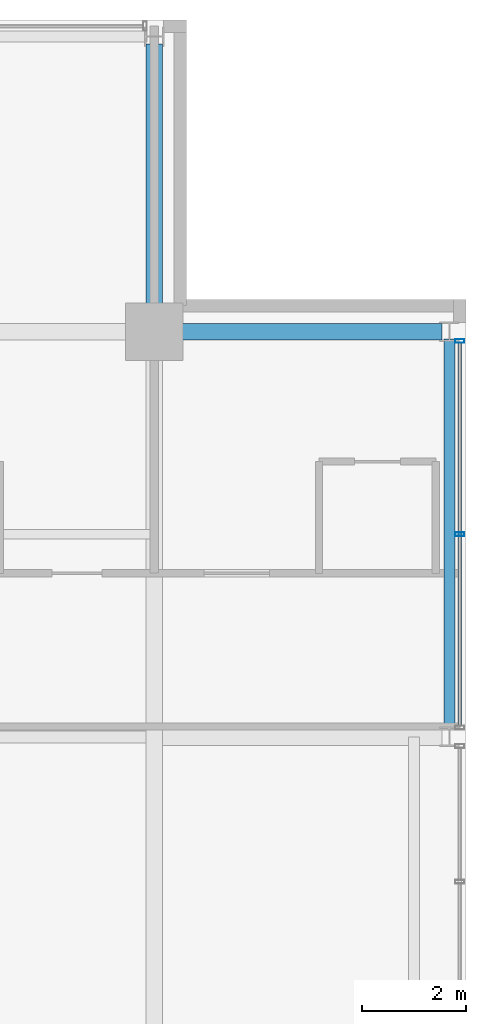
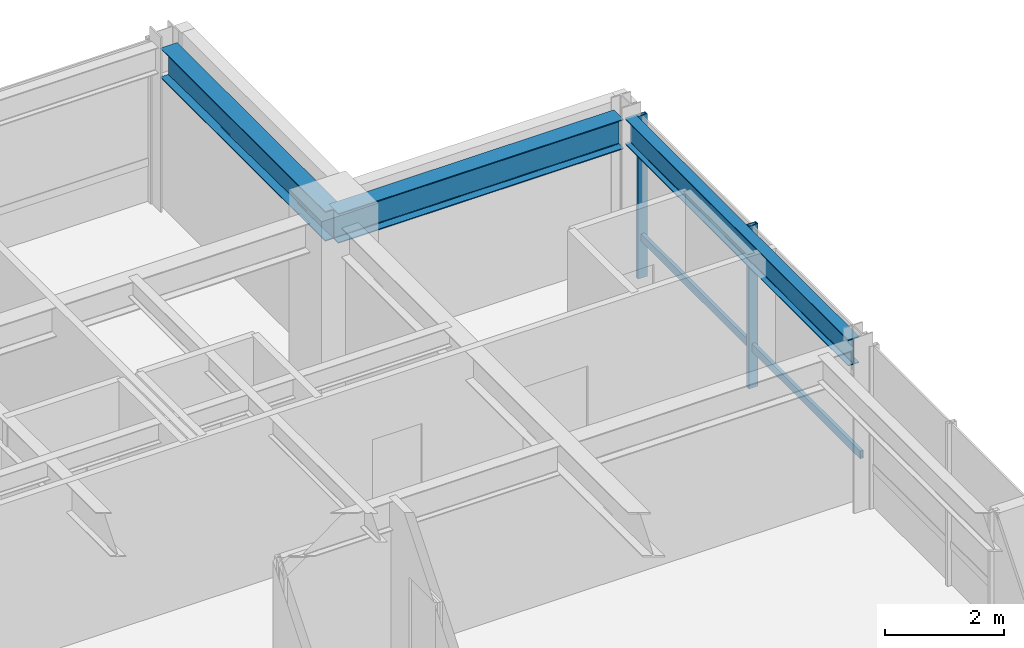
# One storey, part 23 of 32: 3 beams, 3 members, 1 element without a shape of its own.
"""IFC4 building model written with IfcOpenShell, lengths in metres."""

from ifc_helpers import new_model, si_unit, direction, frame, origin, origin_2d, place, context, subcontext, project, spatial, hollow_rectangle, i_section, extrude, material, layer, layer_set, material_profile, profile_set, type_object, element, aggregate, save


model = new_model("IFC4")

# Units and contexts
model_context = context("Model", 3, precision=1e-05, world=origin(), true_north=direction((0.0, 1.0)))
body_context = subcontext(model_context, "Body", "Model", "MODEL_VIEW")
ifc_project = project(units=[si_unit("LENGTHUNIT", "METRE"), si_unit("AREAUNIT", "SQUARE_METRE"), si_unit("VOLUMEUNIT", "CUBIC_METRE"), si_unit("PLANEANGLEUNIT", "RADIAN"), si_unit("MASSUNIT", "GRAM", prefix="KILO")], contexts=[model_context])

# Site, building, storey
site_placement = place(None, origin())
site = spatial("IfcSite", under=ifc_project, at=site_placement, CompositionType="ELEMENT")
building_placement = place(site_placement, origin())
building = spatial("IfcBuilding", under=site, at=building_placement, Name="Drelvath Grand Hotel", CompositionType="ELEMENT")
storey_placement = place(building_placement, frame((0.0, 0.0, 237.5)))
storey = spatial("IfcBuildingStorey", under=building, at=storey_placement, Name="L62", CompositionType="ELEMENT", Elevation=237.5)

# Curtain wall, members
ifc_material_1 = material(Name="Platinum-Mist Anodised Aluminium Frame", Category="aluminium")
ifc_layer = layer(ifc_material_1, 0.199951171875)
ifc_layer_set = layer_set([ifc_layer], Name="Platinum-Mist Anodised Aluminium Frame")
curtain_wall_type = type_object("IfcCurtainWallType", Name="Stick Curtain Wall CW-05 Platinum Mist High-Rise", PredefinedType="NOTDEFINED", material=ifc_layer_set)
curtain_wall_placement = place(storey_placement, origin())
curtain_wall = element("IfcCurtainWall", 1, at=curtain_wall_placement, inside=storey, type_object=curtain_wall_type, Name="L62 CW-05 Curtain Wall CW05-L62-EN2", PredefinedType="NOTDEFINED")
ifc_material_profile_1 = material_profile(ifc_material_1, hollow_rectangle(XDim=0.06494140625, YDim=0.159912109375, WallThickness=0.00390625, at=origin_2d()), Name="HSS160X65X4")
ifc_profile_set_1 = profile_set([ifc_material_profile_1], Name="Platinum-Mist Anodised Aluminium Frame")
member_type_1 = type_object("IfcMemberType", Name="Curtain Wall Horizontal Transom CW-05 HSS160X65X4", PredefinedType="USERDEFINED", material=ifc_profile_set_1)
member_1_placement = place(storey_placement, frame((22.080078125, 42.981689453125, 0.8349609375), z_axis=(0.0, -1.0, 0.0), x_axis=(1.0, 0.0, 0.0)))
member_1 = element("IfcMember", 2, at=member_1_placement, type_object=member_type_1, Name="CW05-L62-EN2 Sill Transom", ObjectType="TRANSOM", PredefinedType="USERDEFINED", context=body_context, shape_type="SweptSolid", body=[
    extrude(hollow_rectangle(XDim=0.06494140625, YDim=0.159912109375, WallThickness=0.00390625, at=origin_2d()), origin(), (0.0, 0.0, 1.0), 7.363525390625),
])
ifc_material_profile_2 = material_profile(ifc_material_1, hollow_rectangle(XDim=0.074951171875, YDim=0.179931640625, WallThickness=0.0048828125, at=origin_2d()), Name="HSS180X75X5")
ifc_profile_set_2 = profile_set([ifc_material_profile_2], Name="Platinum-Mist Anodised Aluminium Frame")
member_type_2 = type_object("IfcMemberType", Name="Curtain Wall Vertical Mullion CW-05 HSS180X75X5", PredefinedType="MULLION", material=ifc_profile_set_2)
member_2_placement = place(storey_placement, frame((22.080078125, 43.021728515625, 0.0), z_axis=(0.0, 0.0, 1.0), x_axis=(0.0, 1.0, 0.0)))
member_2 = element("IfcMember", 3, at=member_2_placement, type_object=member_type_2, Name="CW05-L62-EN2 Mullion 1", PredefinedType="MULLION", context=body_context, shape_type="SweptSolid", body=[
    extrude(hollow_rectangle(XDim=0.074951171875, YDim=0.179931640625, WallThickness=0.0048828125, at=origin_2d()), origin(), (0.0, 0.0, 1.0), 3.340087890625),
])
member_3_placement = place(storey_placement, frame((22.080078125, 39.300048828125, 0.0), z_axis=(0.0, 0.0, 1.0), x_axis=(0.0, 1.0, 0.0)))
member_3 = element("IfcMember", 4, at=member_3_placement, type_object=member_type_2, Name="CW05-L62-EN2 Mullion 2", PredefinedType="MULLION", context=body_context, shape_type="SweptSolid", body=[
    extrude(hollow_rectangle(XDim=0.074951171875, YDim=0.179931640625, WallThickness=0.0048828125, at=origin_2d()), origin(), (0.0, 0.0, 1.0), 3.340087890625),
])
aggregate(curtain_wall, [member_2, member_3, member_1])

# Beams
ifc_material_2 = material(Name="Steel ASTM A992 Gr 50", Category="steel")
ifc_material_profile_3 = material_profile(ifc_material_2, i_section(OverallWidth=0.210205078125, OverallDepth=0.53662109375, WebThickness=0.010986328125, FlangeThickness=0.017333984375, FilletRadius=0.01806640625, at=origin_2d()), Name="W21X68")
ifc_profile_set_3 = profile_set([ifc_material_profile_3], Name="Steel ASTM A992 Gr 50")
beam_type_1 = type_object("IfcBeamType", Name="Perimeter Spandrel Beam W21X68", PredefinedType="SPANDREL", material=ifc_profile_set_3)
beam_placement = place(storey_placement, frame((21.8798828125, 35.5400390625, 3.07177734375), z_axis=(0.0, 1.0, 0.0), x_axis=(-1.0, 0.0, 0.0)))
element("IfcBeam", 5, at=beam_placement, inside=storey, type_object=beam_type_1, Name="L62 Spandrel East N", PredefinedType="SPANDREL", context=body_context, shape_type="SweptSolid", body=[
    extrude(i_section(OverallWidth=0.210205078125, OverallDepth=0.53662109375, WebThickness=0.010986328125, FlangeThickness=0.017333984375, FilletRadius=0.01806640625, at=origin_2d()), origin(), (0.0, 0.0, 1.0), 7.52001953125),
])
ifc_material_profile_4 = material_profile(ifc_material_2, i_section(OverallWidth=0.323974609375, OverallDepth=0.611083984375, WebThickness=0.0126953125, FlangeThickness=0.01904296875, FilletRadius=0.02197265625, at=origin_2d()), Name="W24X104")
ifc_profile_set_4 = profile_set([ifc_material_profile_4], Name="Steel ASTM A992 Gr 50")
beam_type_2 = type_object("IfcBeamType", Name="Primary Floor Girder W24X104", PredefinedType="BEAM", material=ifc_profile_set_4)
for number, where, z_axis, x_axis, name in (
    (6, (16.199951171875, 43.199951171875, 3.034423828125), (1.0, 0.0, 0.0), (0.0, 1.0, 0.0), "L62 East Grid Girder G"),
    (7, (16.199951171875, 43.199951171875, 3.034423828125), (0.0, 1.0, 0.0), (-1.0, 0.0, 0.0), "L62 North Grid Girder 7"),
):
    element("IfcBeam", number, at=place(storey_placement, frame(where, z_axis=z_axis, x_axis=x_axis)), inside=storey, type_object=beam_type_2, Name=name, PredefinedType="BEAM", context=body_context, shape_type="SweptSolid", body=[
        extrude(i_section(OverallWidth=0.323974609375, OverallDepth=0.611083984375, WebThickness=0.0126953125, FlangeThickness=0.01904296875, FilletRadius=0.02197265625, at=origin_2d()), origin(), (0.0, 0.0, 1.0), 5.5400390625),
    ])

save(model, "model.ifc")
